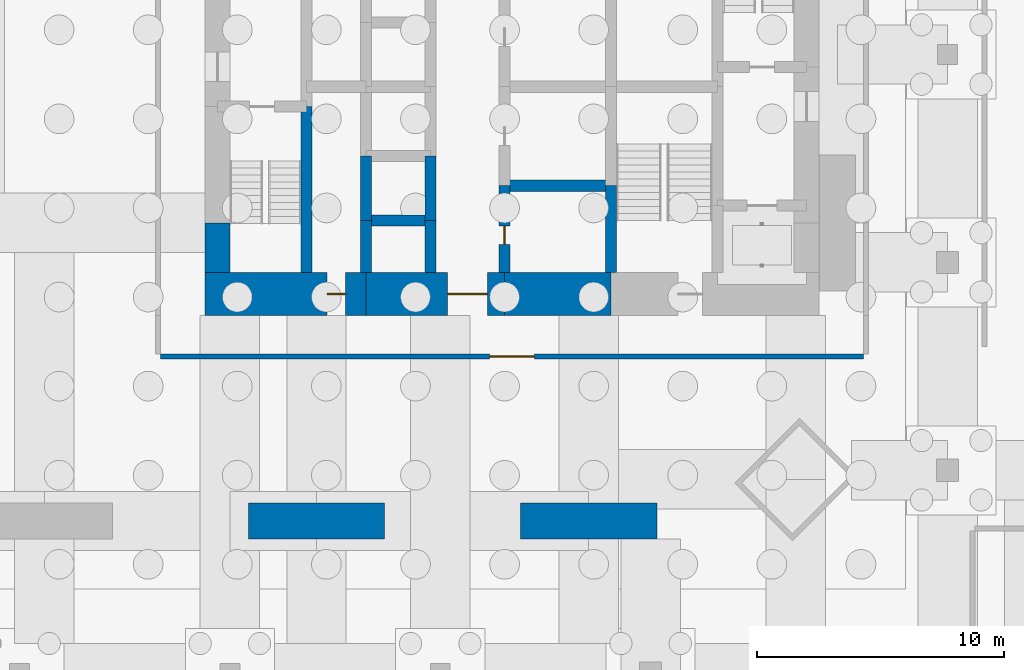
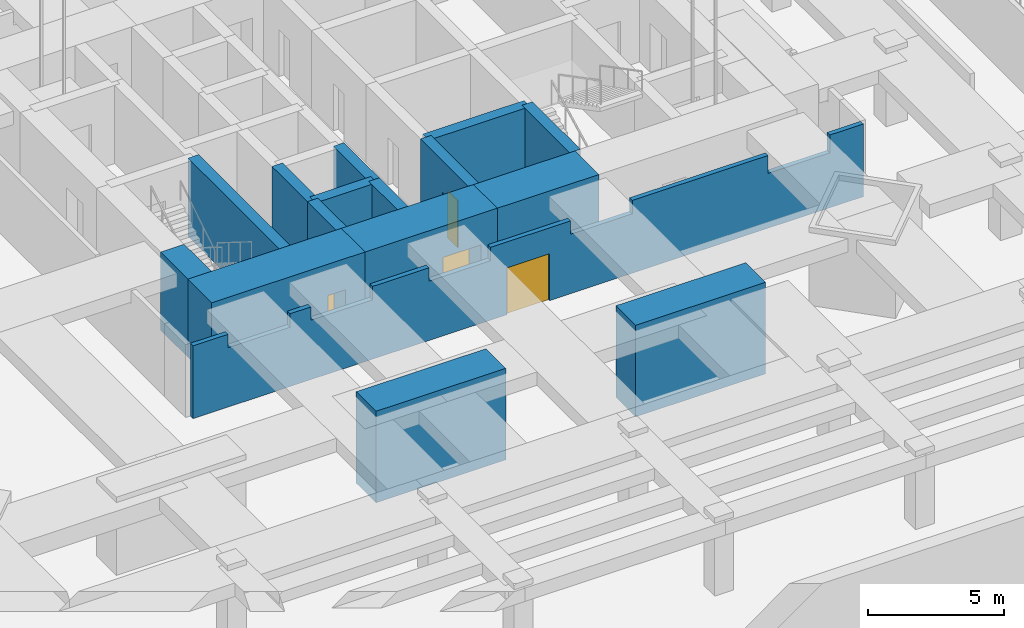
# One storey, part 7 of 15: 16 walls, 4 doors, 4 openings.
"""IFC4 building model written with IfcOpenShell, lengths in metres."""

from ifc_helpers import new_model, si_unit, direction, frame, frame_2d, origin, place, context, subcontext, project, spatial, polyline, rectangle, outline, extrude, material, layer, layer_set, constituent, constituent_set, type_object, element, fill, save


model = new_model("IFC4")

# Units and contexts
model_context = context("Model", 3, precision=1e-05, world=origin(), true_north=direction((0.0, 1.0)))
body_context = subcontext(model_context, "Body", "Model", "MODEL_VIEW")
ifc_project = project(units=[si_unit("LENGTHUNIT", "METRE"), si_unit("AREAUNIT", "SQUARE_METRE"), si_unit("VOLUMEUNIT", "CUBIC_METRE"), si_unit("PLANEANGLEUNIT", "RADIAN"), si_unit("MASSUNIT", "GRAM", prefix="KILO")], contexts=[model_context])

# Site, building, storey
site_placement = place(None, origin())
site = spatial("IfcSite", under=ifc_project, at=site_placement, CompositionType="ELEMENT")
building_placement = place(site_placement, origin())
building = spatial("IfcBuilding", under=site, at=building_placement, Name="Jalousie Tower", CompositionType="ELEMENT")
storey_placement = place(building_placement, frame((0.0, 0.0, -7.5)))
storey = spatial("IfcBuildingStorey", under=building, at=storey_placement, Name="B2", CompositionType="ELEMENT", Elevation=-7.5)

# Wall
ifc_material_1 = material(Name="Concrete f'c 120 MPa", Category="concrete")
ifc_layer_1 = layer(ifc_material_1, 1.0)
ifc_layer_set_1 = layer_set([ifc_layer_1], Name="Concrete f'c 120 MPa")
wall_type_1 = type_object("IfcWallType", Name="CORE WALL 1000", PredefinedType="SHEAR", material=ifc_layer_set_1)
wall_1_placement = place(storey_placement, frame((20.0, 13.0, 0.0), z_axis=(0.0, 0.0, 1.0), x_axis=(0.0, -1.0, 0.0)))
element("IfcWall", 1, at=wall_1_placement, inside=storey, type_object=wall_type_1, Name="Core wall WD B2", PredefinedType="SHEAR", context=body_context, shape_type="SweptSolid", body=[
    extrude(rectangle(XDim=2.0, YDim=1.0, at=frame_2d((1.0, 0.0))), origin(), (0.0, 0.0, 1.0), 3.5),
])

# Wall, opening, door
ifc_material_2 = material(Name="Concrete f'c 120 MPa", Category="concrete")
ifc_layer_2 = layer(ifc_material_2, 1.75)
ifc_layer_set_2 = layer_set([ifc_layer_2], Name="Concrete f'c 120 MPa")
wall_type_2 = type_object("IfcWallType", Name="CORE WALL 1750", PredefinedType="SHEAR", material=ifc_layer_set_2)
wall_2_placement = place(storey_placement, frame((19.5, 10.125, 0.0), z_axis=(0.0, 0.0, 1.0), x_axis=(1.0, 0.0, 0.0)))
wall_2 = element("IfcWall", 2, at=wall_2_placement, inside=storey, type_object=wall_type_2, Name="Core wall SA B2", PredefinedType="SHEAR", context=body_context, shape_type="SweptSolid", body=[
    extrude(rectangle(XDim=6.5, YDim=1.75, at=frame_2d((3.25, 0.0))), origin(), (0.0, 0.0, 1.0), 3.5),
])
opening_1_placement = place(wall_2_placement, frame((4.925048828125, 0.0, 0.0)))
opening_1 = element("IfcOpeningElement", 3, at=opening_1_placement, cuts=wall_2, Name="Opening D16", PredefinedType="OPENING", context=body_context, shape_type="SweptSolid", body=[
    extrude(rectangle(XDim=0.75, YDim=2.10009765625, at=frame_2d((0.375, 1.050048828125))), frame((0.0, 0.885009765625, 0.0), z_axis=(0.0, -1.0, 0.0), x_axis=(1.0, 0.0, 0.0)), (0.0, 0.0, 1.0), 1.77001953125),
])
ifc_material_3 = material(Name="Steel fire door", Category="steel")
door_type_1 = type_object("IfcDoorType", Name="RISER DOOR 750", OperationType="SINGLE_SWING_LEFT", PredefinedType="DOOR", material=ifc_material_3)
door_1_placement = place(opening_1_placement, origin())
door_1 = element("IfcDoor", 4, at=door_1_placement, inside=storey, type_object=door_type_1, Name="South riser door", OperationType="SINGLE_SWING_LEFT", OverallHeight=2.10009765625, OverallWidth=0.75, PredefinedType="DOOR", context=body_context, shape_type="SweptSolid", body=[
    extrude(rectangle(XDim=0.75, YDim=2.10009765625, at=frame_2d((0.375, 1.050048828125))), frame((0.0, 0.02490234375, 0.0), z_axis=(0.0, -1.0, 0.0), x_axis=(1.0, 0.0, 0.0)), (0.0, 0.0, 1.0), 0.050048828125),
])
fill(opening_1, door_1)

wall_3_placement = place(storey_placement, frame((26.0, 10.125, 0.0), z_axis=(0.0, 0.0, 1.0), x_axis=(1.0, 0.0, 0.0)))
wall_3 = element("IfcWall", 5, at=wall_3_placement, inside=storey, type_object=wall_type_2, Name="Core wall SB B2", PredefinedType="SHEAR", context=body_context, shape_type="SweptSolid", body=[
    extrude(rectangle(XDim=5.60009765625, YDim=1.75, at=frame_2d((2.800048828125, 0.0))), origin(), (0.0, 0.0, 1.0), 3.5),
])
opening_2_placement = place(wall_3_placement, frame((3.300048828125, 0.0, 0.0)))
opening_2 = element("IfcOpeningElement", 6, at=opening_2_placement, cuts=wall_3, Name="Opening D15", PredefinedType="OPENING", context=body_context, shape_type="SweptSolid", body=[
    extrude(rectangle(XDim=1.60009765625, YDim=2.10009765625, at=frame_2d((0.800048828125, 1.050048828125))), frame((0.0, 0.885009765625, 0.0), z_axis=(0.0, -1.0, 0.0), x_axis=(1.0, 0.0, 0.0)), (0.0, 0.0, 1.0), 1.77001953125),
])
ifc_material_4 = material(Name="Steel fire door", Category="steel")
door_type_2 = type_object("IfcDoorType", Name="LIFT LOBBY DOOR 1600", OperationType="DOUBLE_DOOR_SINGLE_SWING", PredefinedType="DOOR", material=ifc_material_4)
door_2_placement = place(opening_2_placement, origin())
door_2 = element("IfcDoor", 7, at=door_2_placement, inside=storey, type_object=door_type_2, Name="Lift lobby south door", OperationType="DOUBLE_DOOR_SINGLE_SWING", OverallHeight=2.10009765625, OverallWidth=1.60009765625, PredefinedType="DOOR", context=body_context, shape_type="SweptSolid", body=[
    extrude(rectangle(XDim=1.60009765625, YDim=2.10009765625, at=frame_2d((0.800048828125, 1.050048828125))), frame((0.0, 0.02490234375, 0.0), z_axis=(0.0, -1.0, 0.0), x_axis=(1.0, 0.0, 0.0)), (0.0, 0.0, 1.0), 0.050048828125),
])
fill(opening_2, door_2)

# Walls
wall_4_placement = place(storey_placement, frame((31.60009765625, 10.125, 0.0), z_axis=(0.0, 0.0, 1.0), x_axis=(1.0, 0.0, 0.0)))
element("IfcWall", 8, at=wall_4_placement, inside=storey, type_object=wall_type_2, Name="Core wall SC B2", PredefinedType="SHEAR", context=body_context, shape_type="SweptSolid", body=[
    extrude(rectangle(XDim=4.2998046875, YDim=1.75, at=frame_2d((2.14990234375, 0.0))), origin(), (0.0, 0.0, 1.0), 3.5),
])
ifc_material_5 = material(Name="Concrete f'c 120 MPa", Category="concrete")
ifc_layer_3 = layer(ifc_material_5, 0.449951171875)
ifc_layer_set_3 = layer_set([ifc_layer_3], Name="Concrete f'c 120 MPa")
wall_type_3 = type_object("IfcWallType", Name="CORE WALL 450", PredefinedType="SHEAR", material=ifc_layer_set_3)
wall_5_placement = place(storey_placement, frame((23.60009765625, 11.0, 0.0), z_axis=(0.0, 0.0, 1.0), x_axis=(0.0, 1.0, 0.0)))
element("IfcWall", 9, at=wall_5_placement, inside=storey, type_object=wall_type_3, Name="Core wall X23.6A B2", PredefinedType="SHEAR", context=body_context, shape_type="SweptSolid", body=[
    extrude(rectangle(XDim=6.699951171875, YDim=0.449951171875, at=frame_2d((3.35009765625, 0.0))), origin(), (0.0, 0.0, 1.0), 3.5),
])
wall_6_placement = place(storey_placement, frame((26.0, 11.0, 0.0), z_axis=(0.0, 0.0, 1.0), x_axis=(0.0, 1.0, 0.0)))
element("IfcWall", 10, at=wall_6_placement, inside=storey, type_object=wall_type_3, Name="Core wall X26A B2", PredefinedType="SHEAR", context=body_context, shape_type="SweptSolid", body=[
    extrude(rectangle(XDim=2.10009765625, YDim=0.449951171875, at=frame_2d((1.050048828125, 0.0))), origin(), (0.0, 0.0, 1.0), 3.5),
])
wall_7_placement = place(storey_placement, frame((26.0, 13.10009765625, 0.0), z_axis=(0.0, 0.0, 1.0), x_axis=(0.0, 1.0, 0.0)))
element("IfcWall", 11, at=wall_7_placement, inside=storey, type_object=wall_type_3, Name="Core wall X26B B2", PredefinedType="SHEAR", context=body_context, shape_type="SweptSolid", body=[
    extrude(rectangle(XDim=2.599853515625, YDim=0.449951171875, at=frame_2d((1.2998046875, 0.0))), origin(), (0.0, 0.0, 1.0), 3.5),
])
wall_8_placement = place(storey_placement, frame((28.60009765625, 11.0, 0.0), z_axis=(0.0, 0.0, 1.0), x_axis=(0.0, 1.0, 0.0)))
element("IfcWall", 12, at=wall_8_placement, inside=storey, type_object=wall_type_3, Name="Core wall X28.6A B2", PredefinedType="SHEAR", context=body_context, shape_type="SweptSolid", body=[
    extrude(rectangle(XDim=2.10009765625, YDim=0.449951171875, at=frame_2d((1.050048828125, 0.0))), origin(), (0.0, 0.0, 1.0), 3.5),
])
wall_9_placement = place(storey_placement, frame((28.60009765625, 13.10009765625, 0.0), z_axis=(0.0, 0.0, 1.0), x_axis=(0.0, 1.0, 0.0)))
element("IfcWall", 13, at=wall_9_placement, inside=storey, type_object=wall_type_3, Name="Core wall X28.6B B2", PredefinedType="SHEAR", context=body_context, shape_type="SweptSolid", body=[
    extrude(rectangle(XDim=2.599853515625, YDim=0.449951171875, at=frame_2d((1.2998046875, 0.0))), origin(), (0.0, 0.0, 1.0), 3.5),
])

# Wall, opening, door
wall_10_placement = place(storey_placement, frame((31.60009765625, 11.0, 0.0), z_axis=(0.0, 0.0, 1.0), x_axis=(0.0, 1.0, 0.0)))
wall_10 = element("IfcWall", 14, at=wall_10_placement, inside=storey, type_object=wall_type_3, Name="Core wall X31.6A B2", PredefinedType="SHEAR", context=body_context, shape_type="SweptSolid", body=[
    extrude(rectangle(XDim=3.5, YDim=0.449951171875, at=frame_2d((1.75, 0.0))), origin(), (0.0, 0.0, 1.0), 3.5),
])
opening_3_placement = place(wall_10_placement, frame((1.125, 0.0, 0.0)))
opening_3 = element("IfcOpeningElement", 15, at=opening_3_placement, cuts=wall_10, Name="Opening D16", PredefinedType="OPENING", context=body_context, shape_type="SweptSolid", body=[
    extrude(rectangle(XDim=0.75, YDim=2.10009765625, at=frame_2d((0.375, 1.050048828125))), frame((0.0, 0.23486328125, 0.0), z_axis=(0.0, -1.0, 0.0), x_axis=(1.0, 0.0, 0.0)), (0.0, 0.0, 1.0), 0.469970703125),
])
door_3_placement = place(opening_3_placement, frame((0.75, 0.0, 0.0), z_axis=(0.0, 0.0, 1.0), x_axis=(-1.0, 0.0, 0.0)))
door_3 = element("IfcDoor", 16, at=door_3_placement, inside=storey, type_object=door_type_1, Name="Refuse Room door", OperationType="SINGLE_SWING_RIGHT", OverallHeight=2.10009765625, OverallWidth=0.75, PredefinedType="DOOR", context=body_context, shape_type="SweptSolid", body=[
    extrude(rectangle(XDim=0.75, YDim=2.10009765625, at=frame_2d((0.375, 1.050048828125))), frame((0.0, 0.02490234375, 0.0), z_axis=(0.0, -1.0, 0.0), x_axis=(1.0, 0.0, 0.0)), (0.0, 0.0, 1.0), 0.050048828125),
])
fill(opening_3, door_3)

# Walls
wall_11_placement = place(storey_placement, frame((35.89990234375, 11.0, 0.0), z_axis=(0.0, 0.0, 1.0), x_axis=(0.0, 1.0, 0.0)))
element("IfcWall", 17, at=wall_11_placement, inside=storey, type_object=wall_type_3, Name="Core wall X35.9A B2", PredefinedType="SHEAR", context=body_context, shape_type="SweptSolid", body=[
    extrude(rectangle(XDim=3.5, YDim=0.449951171875, at=frame_2d((1.75, 0.0))), origin(), (0.0, 0.0, 1.0), 3.5),
])
wall_12_placement = place(storey_placement, frame((26.0, 13.10009765625, 0.0), z_axis=(0.0, 0.0, 1.0), x_axis=(1.0, 0.0, 0.0)))
element("IfcWall", 18, at=wall_12_placement, inside=storey, type_object=wall_type_3, Name="Core wall Y26-13.1 B2", PredefinedType="SHEAR", context=body_context, shape_type="SweptSolid", body=[
    extrude(rectangle(XDim=2.60009765625, YDim=0.449951171875, at=frame_2d((1.300048828125, 0.0))), origin(), (0.0, 0.0, 1.0), 3.5),
])
wall_13_placement = place(storey_placement, frame((31.60009765625, 14.5, 0.0), z_axis=(0.0, 0.0, 1.0), x_axis=(1.0, 0.0, 0.0)))
element("IfcWall", 19, at=wall_13_placement, inside=storey, type_object=wall_type_3, Name="Core wall Y31.6-14.5 B2", PredefinedType="SHEAR", context=body_context, shape_type="SweptSolid", body=[
    extrude(rectangle(XDim=4.2998046875, YDim=0.449951171875, at=frame_2d((2.14990234375, 0.0))), origin(), (0.0, 0.0, 1.0), 3.5),
])

# Wall, opening, door
ifc_material_6 = material(Name="Concrete block ASTM C90", Category="concrete")
ifc_constituent_1 = constituent(ifc_material_6, Name="Body")
ifc_material_7 = material(Name="Render")
ifc_constituent_2 = constituent(ifc_material_7, Name="Finish")
ifc_constituent_set = constituent_set(constituents=[ifc_constituent_1, ifc_constituent_2])
wall_type_4 = type_object("IfcWallType", Name="CORRIDOR WALL 200", PredefinedType="PARTITIONING", material=ifc_constituent_set)
wall_14_placement = place(storey_placement, frame((17.699951171875, 7.60009765625, 0.0), z_axis=(0.0, 0.0, 1.0), x_axis=(1.0, 0.0, 0.0)))
wall_14 = element("IfcWall", 20, at=wall_14_placement, inside=storey, type_object=wall_type_4, Name="Corridor Wall 200 B2", PredefinedType="PARTITIONING", context=body_context, shape_type="SweptSolid", body=[
    extrude(outline(polyline([(0.0, 0.0), (28.400146484375, 0.0), (28.39990234375, 3.260009765625), (26.978515625, 3.260009765625), (26.978515625, 2.4599609375), (24.358642578125, 2.4599609375), (24.358642578125, 3.260009765625), (18.610107421875, 3.260009765625), (18.610107421875, 2.659912109375), (15.989990234375, 2.659912109375), (15.989990234375, 3.260009765625), (12.610107421875, 3.260009765625), (12.610107421875, 2.659912109375), (9.989990234375, 2.659912109375), (9.989990234375, 3.260009765625), (7.610107421875, 3.260009765625), (7.610107421875, 2.659912109375), (4.989990234375, 2.659912109375), (4.989990234375, 3.260009765625), (4.110107421875, 3.260009765625), (4.110107421875, 2.659912109375), (1.489990234375, 2.659912109375), (1.489990234375, 3.260009765625), (0.0, 3.260009765625), (0.0, 0.0)])), frame((0.0, 0.10009765625, 0.0), z_axis=(0.0, -1.0, 0.0), x_axis=(1.0, 0.0, 0.0)), (0.0, 0.0, 1.0), 0.199951171875),
])
opening_4_placement = place(wall_14_placement, frame((13.300048828125, 0.0, 0.0)))
opening_4 = element("IfcOpeningElement", 21, at=opening_4_placement, cuts=wall_14, Name="Opening D12", PredefinedType="OPENING", context=body_context, shape_type="SweptSolid", body=[
    extrude(rectangle(XDim=1.800048828125, YDim=2.10009765625, at=frame_2d((0.89990234375, 1.050048828125))), frame((0.0, 0.10986328125, 0.0), z_axis=(0.0, -1.0, 0.0), x_axis=(1.0, 0.0, 0.0)), (0.0, 0.0, 1.0), 0.219970703125),
])
ifc_material_8 = material(Name="Steel fire door", Category="steel")
door_type_3 = type_object("IfcDoorType", Name="FIRE DOOR 1800", OperationType="DOUBLE_DOOR_SINGLE_SWING", PredefinedType="DOOR", material=ifc_material_8)
door_4_placement = place(opening_4_placement, origin())
door_4 = element("IfcDoor", 22, at=door_4_placement, inside=storey, type_object=door_type_3, Name="Lift lobby door south", OperationType="DOUBLE_DOOR_SINGLE_SWING", OverallHeight=2.10009765625, OverallWidth=1.800048828125, PredefinedType="DOOR", context=body_context, shape_type="SweptSolid", body=[
    extrude(rectangle(XDim=1.800048828125, YDim=2.10009765625, at=frame_2d((0.89990234375, 1.050048828125))), frame((0.0, 0.02490234375, 0.0), z_axis=(0.0, -1.0, 0.0), x_axis=(1.0, 0.0, 0.0)), (0.0, 0.0, 1.0), 0.050048828125),
])
fill(opening_4, door_4)

# Walls
ifc_material_9 = material(Name="Concrete f'c 120 MPa", Category="concrete")
ifc_layer_4 = layer(ifc_material_9, 1.449951171875)
ifc_layer_set_4 = layer_set([ifc_layer_4], Name="Concrete f'c 120 MPa")
wall_type_5 = type_object("IfcWallType", Name="RC WALL PIER 1450", PredefinedType="SHEAR", material=ifc_layer_set_4)
for number, where, z_axis, x_axis, name in (
    (23, (21.25, 0.949951171875, -0.60009765625), (0.0, 0.0, 1.0), (1.0, 0.0, 0.0), "Wall pier 03 B2"),
    (24, (32.25, 0.949951171875, -0.60009765625), (0.0, 0.0, 1.0), (1.0, 0.0, 0.0), "Wall pier 04 B2"),
):
    element("IfcWall", number, at=place(storey_placement, frame(where, z_axis=z_axis, x_axis=x_axis)), inside=storey, type_object=wall_type_5, Name=name, PredefinedType="SHEAR", context=body_context, shape_type="SweptSolid", body=[
        extrude(rectangle(XDim=5.5, YDim=1.449951171875, at=frame_2d((2.75, 0.0))), origin(), (0.0, 0.0, 1.0), 4.10009765625),
    ])

save(model, "model.ifc")
